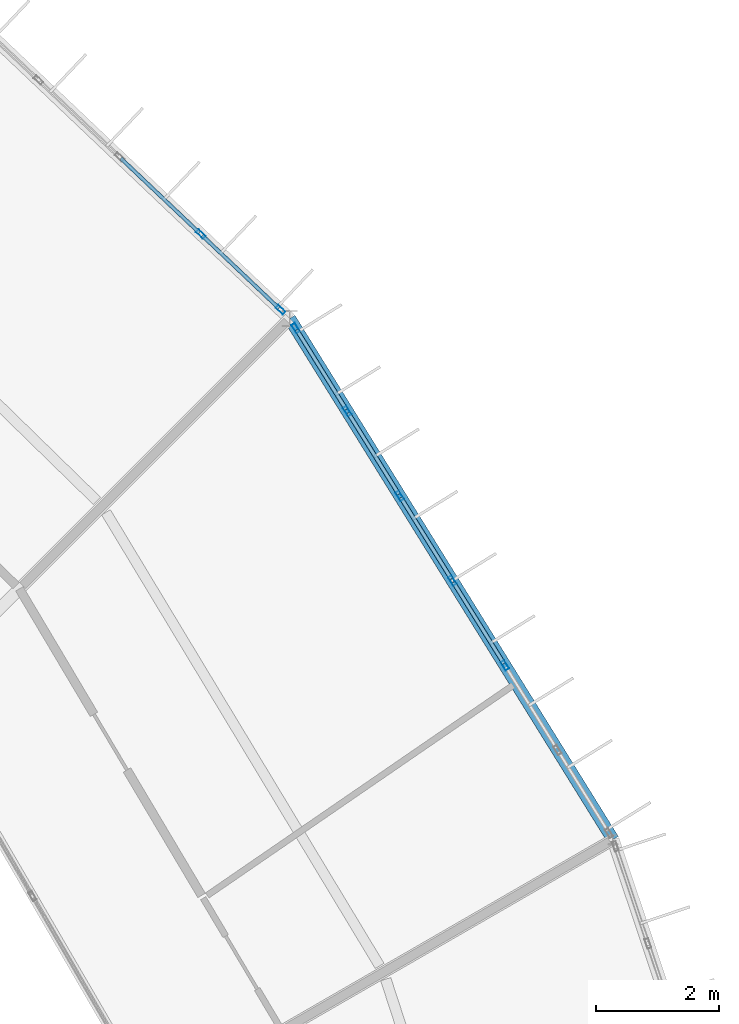
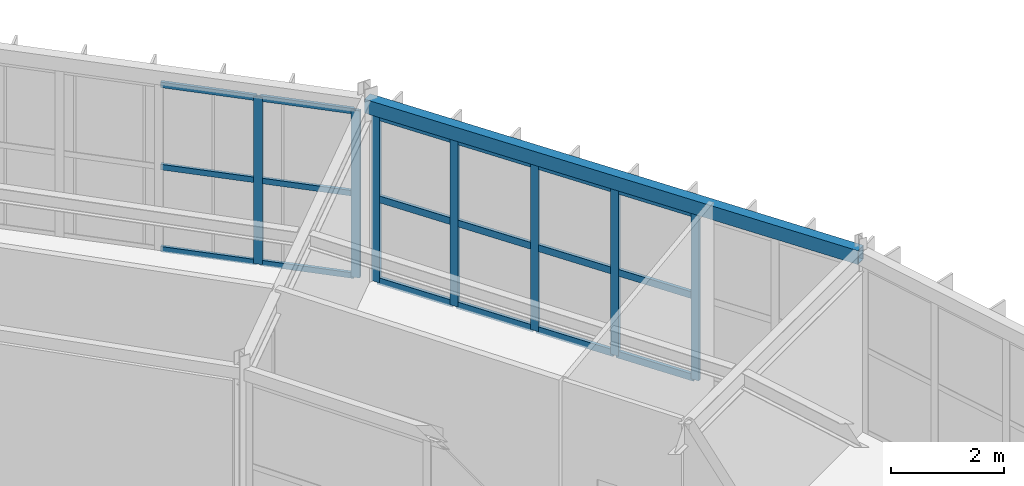
# One storey, part 71 of 106: 25 members, 1 beam, 2 elements without a shape of their own.
"""IFC4 building model written with IfcOpenShell, lengths in metres."""

from ifc_helpers import new_model, si_unit, direction, frame, origin, origin_2d, place, context, subcontext, project, spatial, hollow_rectangle, extrude, material, material_profile, profile_set, type_object, element, aggregate, save


model = new_model("IFC4")

# Units and contexts
model_context = context("Model", 3, precision=1e-05, world=origin(), true_north=direction((0.0, 1.0)))
body_context = subcontext(model_context, "Body", "Model", "MODEL_VIEW")
ifc_project = project(units=[si_unit("LENGTHUNIT", "METRE"), si_unit("AREAUNIT", "SQUARE_METRE"), si_unit("VOLUMEUNIT", "CUBIC_METRE"), si_unit("PLANEANGLEUNIT", "RADIAN"), si_unit("MASSUNIT", "GRAM", prefix="KILO")], contexts=[model_context])

# Site, building, storey
site_placement = place(None, origin())
site = spatial("IfcSite", under=ifc_project, at=site_placement, CompositionType="ELEMENT")
building_placement = place(site_placement, origin())
building = spatial("IfcBuilding", under=site, at=building_placement, Name="Karori Crest Natural Sciences Institute", CompositionType="ELEMENT")
storey_placement = place(building_placement, frame((0.0, 0.0, 25.89990234375)))
storey = spatial("IfcBuildingStorey", under=building, at=storey_placement, Name="L06", CompositionType="ELEMENT", Elevation=25.89990234375)

# Beam
ifc_material_1 = material(Name="Hollow structural steel AS/NZS 1163 Grade C350", Category="steel")
ifc_material_profile_1 = material_profile(ifc_material_1, hollow_rectangle(XDim=0.199951171875, YDim=0.300048828125, WallThickness=0.010009765625, at=origin_2d()), Name="RHS300x200x10")
ifc_profile_set_1 = profile_set([ifc_material_profile_1], Name="Hollow structural steel AS/NZS 1163 Grade C350")
beam_type = type_object("IfcBeamType", Name="BT-15", PredefinedType="SPANDREL", material=ifc_profile_set_1)
beam_placement = place(storey_placement, frame((94.978759765625, 70.300048828125, 3.7900390625), z_axis=(-0.527315195609, 0.849669750244, 0.0), x_axis=(-0.849669750244, -0.527315195609, 0.0)))
element("IfcBeam", 1, at=beam_placement, inside=storey, type_object=beam_type, Name="Beam B-0625", PredefinedType="SPANDREL", context=body_context, shape_type="SweptSolid", body=[
    extrude(hollow_rectangle(XDim=0.199951171875, YDim=0.300048828125, WallThickness=0.010009765625, at=origin_2d()), origin(), (0.0, 0.0, 1.0), 9.945068359375),
])

# Curtain wall, members
ifc_material_2 = material(Name="Anodised architectural aluminium 6063-T6", Category="aluminium")
curtain_wall_type_1 = type_object("IfcCurtainWallType", Name="CWT-03", PredefinedType="NOTDEFINED", material=ifc_material_2)
curtain_wall_1_placement = place(storey_placement, origin())
curtain_wall_1 = element("IfcCurtainWall", 2, at=curtain_wall_1_placement, inside=storey, type_object=curtain_wall_type_1, Name="Curtain wall CW-0223", PredefinedType="NOTDEFINED")
ifc_material_profile_2 = material_profile(ifc_material_2, hollow_rectangle(XDim=0.06494140625, YDim=0.159912109375, WallThickness=0.00390625, at=origin_2d()), Name="CWM160x65x4")
ifc_profile_set_2 = profile_set([ifc_material_profile_2], Name="Anodised architectural aluminium 6063-T6")
member_type_1 = type_object("IfcMemberType", Name="CWM-01", PredefinedType="MULLION", material=ifc_profile_set_2)
member_1_placement = place(storey_placement, frame((89.831298828125, 78.593994140625, 0.0), z_axis=(0.0, 0.0, 1.0), x_axis=(0.849661985715, 0.527327706489, 0.0)))
member_1 = element("IfcMember", 3, at=member_1_placement, type_object=member_type_1, Name="CW-0223 mullion 1", PredefinedType="MULLION", context=body_context, shape_type="SweptSolid", body=[
    extrude(hollow_rectangle(XDim=0.06494140625, YDim=0.159912109375, WallThickness=0.00390625, at=origin_2d()), origin(), (0.0, 0.0, 1.0), 3.625),
])
member_2_placement = place(storey_placement, frame((90.666748046875, 77.248046875, 0.0), z_axis=(0.0, 0.0, 1.0), x_axis=(0.849661985715, 0.527327706489, 0.0)))
member_2 = element("IfcMember", 4, at=member_2_placement, type_object=member_type_1, Name="CW-0223 mullion 2", PredefinedType="MULLION", context=body_context, shape_type="SweptSolid", body=[
    extrude(hollow_rectangle(XDim=0.06494140625, YDim=0.159912109375, WallThickness=0.00390625, at=origin_2d()), origin(), (0.0, 0.0, 1.0), 3.625),
])
member_3_placement = place(storey_placement, frame((91.519287109375, 75.874267578125, 0.0), z_axis=(0.0, 0.0, 1.0), x_axis=(0.849661985715, 0.527327706489, 0.0)))
member_3 = element("IfcMember", 5, at=member_3_placement, type_object=member_type_1, Name="CW-0223 mullion 3", PredefinedType="MULLION", context=body_context, shape_type="SweptSolid", body=[
    extrude(hollow_rectangle(XDim=0.06494140625, YDim=0.159912109375, WallThickness=0.00390625, at=origin_2d()), origin(), (0.0, 0.0, 1.0), 3.625),
])
member_4_placement = place(storey_placement, frame((92.371826171875, 74.50048828125, 0.0), z_axis=(0.0, 0.0, 1.0), x_axis=(0.849661985715, 0.527327706489, 0.0)))
member_4 = element("IfcMember", 6, at=member_4_placement, type_object=member_type_1, Name="CW-0223 mullion 4", PredefinedType="MULLION", context=body_context, shape_type="SweptSolid", body=[
    extrude(hollow_rectangle(XDim=0.06494140625, YDim=0.159912109375, WallThickness=0.00390625, at=origin_2d()), origin(), (0.0, 0.0, 1.0), 3.625),
])
member_5_placement = place(storey_placement, frame((93.224365234375, 73.126708984375, 0.0), z_axis=(0.0, 0.0, 1.0), x_axis=(0.849661985715, 0.527327706489, 0.0)))
member_5 = element("IfcMember", 7, at=member_5_placement, type_object=member_type_1, Name="CW-0223 mullion 5", PredefinedType="MULLION", context=body_context, shape_type="SweptSolid", body=[
    extrude(hollow_rectangle(XDim=0.06494140625, YDim=0.159912109375, WallThickness=0.00390625, at=origin_2d()), origin(), (0.0, 0.0, 1.0), 3.625),
])

curtain_wall_type_2 = type_object("IfcCurtainWallType", Name="CWT-04", PredefinedType="NOTDEFINED", material=ifc_material_2)
curtain_wall_2_placement = place(storey_placement, origin())
curtain_wall_2 = element("IfcCurtainWall", 8, at=curtain_wall_2_placement, inside=storey, type_object=curtain_wall_type_2, Name="Curtain wall CW-0225", PredefinedType="NOTDEFINED")
member_6_placement = place(storey_placement, frame((88.29150390625, 80.118896484375, 0.0), z_axis=(0.0, 0.0, 1.0), x_axis=(0.688252251648, 0.725471459192, 0.0)))
member_6 = element("IfcMember", 9, at=member_6_placement, type_object=member_type_1, Name="CW-0225 mullion 5", PredefinedType="MULLION", context=body_context, shape_type="SweptSolid", body=[
    extrude(hollow_rectangle(XDim=0.06494140625, YDim=0.159912109375, WallThickness=0.00390625, at=origin_2d()), origin(), (0.0, 0.0, 1.0), 3.625),
])
member_7_placement = place(storey_placement, frame((89.58447265625, 78.892333984375, 0.0), z_axis=(0.0, 0.0, 1.0), x_axis=(0.688252251648, 0.725471459192, 0.0)))
member_7 = element("IfcMember", 10, at=member_7_placement, type_object=member_type_1, Name="CW-0225 mullion 6", PredefinedType="MULLION", context=body_context, shape_type="SweptSolid", body=[
    extrude(hollow_rectangle(XDim=0.06494140625, YDim=0.159912109375, WallThickness=0.00390625, at=origin_2d()), origin(), (0.0, 0.0, 1.0), 3.625),
])
ifc_material_profile_3 = material_profile(ifc_material_2, hollow_rectangle(XDim=0.06005859375, YDim=0.1201171875, WallThickness=0.00390625, at=origin_2d()), Name="CWT120x60x4")
ifc_profile_set_3 = profile_set([ifc_material_profile_3], Name="Anodised architectural aluminium 6063-T6")
member_type_2 = type_object("IfcMemberType", Name="CWT-TR1", PredefinedType="USERDEFINED", material=ifc_profile_set_3)
member_8_placement = place(storey_placement, frame((86.99853515625, 81.345458984375, 0.030029296875), z_axis=(0.725490496247, -0.688232184553, 0.0), x_axis=(0.688232184553, 0.725490496247, 0.0)))
member_8 = element("IfcMember", 11, at=member_8_placement, type_object=member_type_2, Name="CW-0225 transom 4.1", ObjectType="TRANSOM", PredefinedType="USERDEFINED", context=body_context, shape_type="SweptSolid", body=[
    extrude(hollow_rectangle(XDim=0.06005859375, YDim=0.1201171875, WallThickness=0.00390625, at=origin_2d()), origin(), (0.0, 0.0, 1.0), 1.74951171875),
])
member_9_placement = place(storey_placement, frame((86.99853515625, 81.345458984375, 1.8125), z_axis=(0.725490496247, -0.688232184553, 0.0), x_axis=(0.688232184553, 0.725490496247, 0.0)))
member_9 = element("IfcMember", 12, at=member_9_placement, type_object=member_type_2, Name="CW-0225 transom 4.2", ObjectType="TRANSOM", PredefinedType="USERDEFINED", context=body_context, shape_type="SweptSolid", body=[
    extrude(hollow_rectangle(XDim=0.06005859375, YDim=0.1201171875, WallThickness=0.00390625, at=origin_2d()), origin(), (0.0, 0.0, 1.0), 1.74951171875),
])
member_10_placement = place(storey_placement, frame((86.99853515625, 81.345458984375, 3.59521484375), z_axis=(0.725490496247, -0.688232184553, 0.0), x_axis=(0.688232184553, 0.725490496247, 0.0)))
member_10 = element("IfcMember", 13, at=member_10_placement, type_object=member_type_2, Name="CW-0225 transom 4.3", ObjectType="TRANSOM", PredefinedType="USERDEFINED", context=body_context, shape_type="SweptSolid", body=[
    extrude(hollow_rectangle(XDim=0.06005859375, YDim=0.1201171875, WallThickness=0.00390625, at=origin_2d()), origin(), (0.0, 0.0, 1.0), 1.74951171875),
])
member_11_placement = place(storey_placement, frame((88.315185546875, 80.0966796875, 0.030029296875), z_axis=(0.725418188491, -0.688308398762, 0.0), x_axis=(0.688308398762, 0.725418188491, 0.0)))
member_11 = element("IfcMember", 14, at=member_11_placement, type_object=member_type_2, Name="CW-0225 transom 5.1", ObjectType="TRANSOM", PredefinedType="USERDEFINED", context=body_context, shape_type="SweptSolid", body=[
    extrude(hollow_rectangle(XDim=0.06005859375, YDim=0.1201171875, WallThickness=0.00390625, at=origin_2d()), origin(), (0.0, 0.0, 1.0), 1.717041015625),
])
member_12_placement = place(storey_placement, frame((88.315185546875, 80.0966796875, 1.8125), z_axis=(0.725418188491, -0.688308398762, 0.0), x_axis=(0.688308398762, 0.725418188491, 0.0)))
member_12 = element("IfcMember", 15, at=member_12_placement, type_object=member_type_2, Name="CW-0225 transom 5.2", ObjectType="TRANSOM", PredefinedType="USERDEFINED", context=body_context, shape_type="SweptSolid", body=[
    extrude(hollow_rectangle(XDim=0.06005859375, YDim=0.1201171875, WallThickness=0.00390625, at=origin_2d()), origin(), (0.0, 0.0, 1.0), 1.717041015625),
])
member_13_placement = place(storey_placement, frame((88.315185546875, 80.0966796875, 3.59521484375), z_axis=(0.725418188491, -0.688308398762, 0.0), x_axis=(0.688308398762, 0.725418188491, 0.0)))
member_13 = element("IfcMember", 16, at=member_13_placement, type_object=member_type_2, Name="CW-0225 transom 5.3", ObjectType="TRANSOM", PredefinedType="USERDEFINED", context=body_context, shape_type="SweptSolid", body=[
    extrude(hollow_rectangle(XDim=0.06005859375, YDim=0.1201171875, WallThickness=0.00390625, at=origin_2d()), origin(), (0.0, 0.0, 1.0), 1.717041015625),
])
aggregate(curtain_wall_2, [member_6, member_7, member_8, member_9, member_10, member_11, member_12, member_13])

# Member
ifc_material_profile_4 = material_profile(ifc_material_2, hollow_rectangle(XDim=0.06494140625, YDim=0.14990234375, WallThickness=0.00390625, at=origin_2d()), Name="CWT150x65x4")
ifc_profile_set_4 = profile_set([ifc_material_profile_4], Name="Anodised architectural aluminium 6063-T6")
member_type_3 = type_object("IfcMemberType", Name="CWT-TR2", PredefinedType="USERDEFINED", material=ifc_profile_set_4)
member_14_placement = place(storey_placement, frame((89.848388671875, 78.56640625, 0.03271484375), z_axis=(0.527410863432, -0.84961037019, 0.0), x_axis=(0.84961037019, 0.527410863432, 0.0)))
member_14 = element("IfcMember", 17, at=member_14_placement, type_object=member_type_3, Name="CW-0223 transom 1.1", ObjectType="TRANSOM", PredefinedType="USERDEFINED", context=body_context, shape_type="SweptSolid", body=[
    extrude(hollow_rectangle(XDim=0.06494140625, YDim=0.14990234375, WallThickness=0.00390625, at=origin_2d()), origin(), (0.0, 0.0, 1.0), 1.519287109375),
])

member_15_placement = place(storey_placement, frame((89.848388671875, 78.56640625, 1.8125), z_axis=(0.527410863432, -0.84961037019, 0.0), x_axis=(0.84961037019, 0.527410863432, 0.0)))
member_15 = element("IfcMember", 18, at=member_15_placement, type_object=member_type_3, Name="CW-0223 transom 1.2", ObjectType="TRANSOM", PredefinedType="USERDEFINED", context=body_context, shape_type="SweptSolid", body=[
    extrude(hollow_rectangle(XDim=0.06494140625, YDim=0.14990234375, WallThickness=0.00390625, at=origin_2d()), origin(), (0.0, 0.0, 1.0), 1.519287109375),
])

member_16_placement = place(storey_placement, frame((89.848388671875, 78.56640625, 3.592529296875), z_axis=(0.527410863432, -0.84961037019, 0.0), x_axis=(0.84961037019, 0.527410863432, 0.0)))
member_16 = element("IfcMember", 19, at=member_16_placement, type_object=member_type_3, Name="CW-0223 transom 1.3", ObjectType="TRANSOM", PredefinedType="USERDEFINED", context=body_context, shape_type="SweptSolid", body=[
    extrude(hollow_rectangle(XDim=0.06494140625, YDim=0.14990234375, WallThickness=0.00390625, at=origin_2d()), origin(), (0.0, 0.0, 1.0), 1.519287109375),
])

member_17_placement = place(storey_placement, frame((90.683837890625, 77.220458984375, 0.03271484375), z_axis=(0.527323700977, -0.849664471652, 0.0), x_axis=(0.849664471652, 0.527323700977, 0.0)))
member_17 = element("IfcMember", 20, at=member_17_placement, type_object=member_type_3, Name="CW-0223 transom 2.1", ObjectType="TRANSOM", PredefinedType="USERDEFINED", context=body_context, shape_type="SweptSolid", body=[
    extrude(hollow_rectangle(XDim=0.06494140625, YDim=0.14990234375, WallThickness=0.00390625, at=origin_2d()), origin(), (0.0, 0.0, 1.0), 1.552001953125),
])

member_18_placement = place(storey_placement, frame((90.683837890625, 77.220458984375, 1.8125), z_axis=(0.527323700977, -0.849664471652, 0.0), x_axis=(0.849664471652, 0.527323700977, 0.0)))
member_18 = element("IfcMember", 21, at=member_18_placement, type_object=member_type_3, Name="CW-0223 transom 2.2", ObjectType="TRANSOM", PredefinedType="USERDEFINED", context=body_context, shape_type="SweptSolid", body=[
    extrude(hollow_rectangle(XDim=0.06494140625, YDim=0.14990234375, WallThickness=0.00390625, at=origin_2d()), origin(), (0.0, 0.0, 1.0), 1.552001953125),
])

member_19_placement = place(storey_placement, frame((90.683837890625, 77.220458984375, 3.592529296875), z_axis=(0.527323700977, -0.849664471652, 0.0), x_axis=(0.849664471652, 0.527323700977, 0.0)))
member_19 = element("IfcMember", 22, at=member_19_placement, type_object=member_type_3, Name="CW-0223 transom 2.3", ObjectType="TRANSOM", PredefinedType="USERDEFINED", context=body_context, shape_type="SweptSolid", body=[
    extrude(hollow_rectangle(XDim=0.06494140625, YDim=0.14990234375, WallThickness=0.00390625, at=origin_2d()), origin(), (0.0, 0.0, 1.0), 1.552001953125),
])

member_20_placement = place(storey_placement, frame((91.536376953125, 75.8466796875, 0.03271484375), z_axis=(0.527323700977, -0.849664471652, 0.0), x_axis=(0.849664471652, 0.527323700977, 0.0)))
member_20 = element("IfcMember", 23, at=member_20_placement, type_object=member_type_3, Name="CW-0223 transom 3.1", ObjectType="TRANSOM", PredefinedType="USERDEFINED", context=body_context, shape_type="SweptSolid", body=[
    extrude(hollow_rectangle(XDim=0.06494140625, YDim=0.14990234375, WallThickness=0.00390625, at=origin_2d()), origin(), (0.0, 0.0, 1.0), 1.552001953125),
])

member_21_placement = place(storey_placement, frame((91.536376953125, 75.8466796875, 1.8125), z_axis=(0.527323700977, -0.849664471652, 0.0), x_axis=(0.849664471652, 0.527323700977, 0.0)))
member_21 = element("IfcMember", 24, at=member_21_placement, type_object=member_type_3, Name="CW-0223 transom 3.2", ObjectType="TRANSOM", PredefinedType="USERDEFINED", context=body_context, shape_type="SweptSolid", body=[
    extrude(hollow_rectangle(XDim=0.06494140625, YDim=0.14990234375, WallThickness=0.00390625, at=origin_2d()), origin(), (0.0, 0.0, 1.0), 1.552001953125),
])

member_22_placement = place(storey_placement, frame((91.536376953125, 75.8466796875, 3.592529296875), z_axis=(0.527323700977, -0.849664471652, 0.0), x_axis=(0.849664471652, 0.527323700977, 0.0)))
member_22 = element("IfcMember", 25, at=member_22_placement, type_object=member_type_3, Name="CW-0223 transom 3.3", ObjectType="TRANSOM", PredefinedType="USERDEFINED", context=body_context, shape_type="SweptSolid", body=[
    extrude(hollow_rectangle(XDim=0.06494140625, YDim=0.14990234375, WallThickness=0.00390625, at=origin_2d()), origin(), (0.0, 0.0, 1.0), 1.552001953125),
])

member_23_placement = place(storey_placement, frame((92.388916015625, 74.472900390625, 0.03271484375), z_axis=(0.527323700977, -0.849664471652, 0.0), x_axis=(0.849664471652, 0.527323700977, 0.0)))
member_23 = element("IfcMember", 26, at=member_23_placement, type_object=member_type_3, Name="CW-0223 transom 4.1", ObjectType="TRANSOM", PredefinedType="USERDEFINED", context=body_context, shape_type="SweptSolid", body=[
    extrude(hollow_rectangle(XDim=0.06494140625, YDim=0.14990234375, WallThickness=0.00390625, at=origin_2d()), origin(), (0.0, 0.0, 1.0), 1.552001953125),
])

member_24_placement = place(storey_placement, frame((92.388916015625, 74.472900390625, 1.8125), z_axis=(0.527323700977, -0.849664471652, 0.0), x_axis=(0.849664471652, 0.527323700977, 0.0)))
member_24 = element("IfcMember", 27, at=member_24_placement, type_object=member_type_3, Name="CW-0223 transom 4.2", ObjectType="TRANSOM", PredefinedType="USERDEFINED", context=body_context, shape_type="SweptSolid", body=[
    extrude(hollow_rectangle(XDim=0.06494140625, YDim=0.14990234375, WallThickness=0.00390625, at=origin_2d()), origin(), (0.0, 0.0, 1.0), 1.552001953125),
])

member_25_placement = place(storey_placement, frame((92.388916015625, 74.472900390625, 3.592529296875), z_axis=(0.527323700977, -0.849664471652, 0.0), x_axis=(0.849664471652, 0.527323700977, 0.0)))
member_25 = element("IfcMember", 28, at=member_25_placement, type_object=member_type_3, Name="CW-0223 transom 4.3", ObjectType="TRANSOM", PredefinedType="USERDEFINED", context=body_context, shape_type="SweptSolid", body=[
    extrude(hollow_rectangle(XDim=0.06494140625, YDim=0.14990234375, WallThickness=0.00390625, at=origin_2d()), origin(), (0.0, 0.0, 1.0), 1.552001953125),
])

aggregate(curtain_wall_1, [member_1, member_2, member_3, member_4, member_5, member_14, member_15, member_16, member_17, member_18, member_19, member_20, member_21, member_22, member_23, member_24, member_25])

save(model, "model.ifc")
